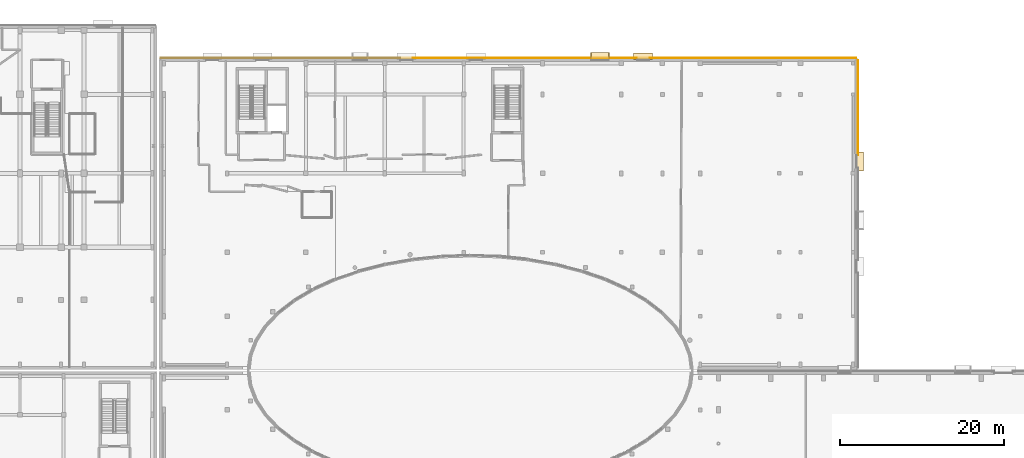
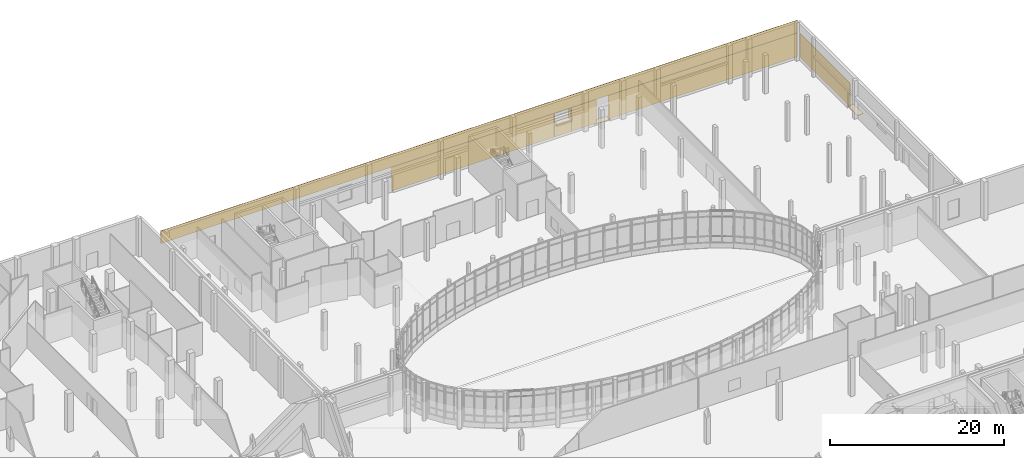
# One storey, part 76 of 84: 12 coverings.
"""IFC4 building model written with IfcOpenShell, lengths in metres."""

from ifc_helpers import new_model, si_unit, direction, frame, origin, origin_2d, place, context, subcontext, project, spatial, rectangle, extrude, material, layer, layer_set, type_object, element, save


model = new_model("IFC4")

# Units and contexts
model_context = context("Model", 3, precision=1e-05, world=origin(), true_north=direction((0.0, 1.0)))
body_context = subcontext(model_context, "Body", "Model", "MODEL_VIEW")
ifc_project = project(units=[si_unit("LENGTHUNIT", "METRE"), si_unit("AREAUNIT", "SQUARE_METRE"), si_unit("VOLUMEUNIT", "CUBIC_METRE"), si_unit("PLANEANGLEUNIT", "RADIAN"), si_unit("MASSUNIT", "GRAM", prefix="KILO")], contexts=[model_context])

# Site, building, storey
site_placement = place(None, origin())
site = spatial("IfcSite", under=ifc_project, at=site_placement, CompositionType="ELEMENT")
building_placement = place(site_placement, origin())
building = spatial("IfcBuilding", under=site, at=building_placement, Name="Mzevani Central Library", CompositionType="ELEMENT")
storey_placement = place(building_placement, origin())
storey = spatial("IfcBuildingStorey", under=building, at=storey_placement, Name="L00", CompositionType="ELEMENT", Elevation=0.0)

# Coverings
ifc_material_1 = material(Name="Limestone ashlar cladding", Category="masonry")
ifc_layer_1 = layer(ifc_material_1, 0.050048828125, Name="Limestone Ashlar Spandrel Cladding")
ifc_layer_set_1 = layer_set([ifc_layer_1], Name="Limestone ashlar cladding")
covering_type_1 = type_object("IfcCoveringType", Name="Limestone Ashlar Spandrel Cladding", PredefinedType="CLADDING", material=ifc_layer_set_1)
for number, where, z_axis, x_axis, name in (
    (1, (99.80517578125, 114.337890625, 3.25), (0.0, 0.0, 1.0), (1.0, 0.0, 0.0), "L00 Deep Window Reveal HD (REV4-0122)"),
    (2, (99.80517578125, 114.337890625, 1.56005859375), (0.0, 0.0, 1.0), (1.0, 0.0, 0.0), "L00 Deep Window Reveal SL (REV4-0122)"),
):
    element("IfcCovering", number, at=place(storey_placement, frame(where, z_axis=z_axis, x_axis=x_axis)), inside=storey, type_object=covering_type_1, Name=name, PredefinedType="CLADDING", context=body_context, shape_type="SweptSolid", body=[
        extrude(rectangle(XDim=2.280029296875, YDim=0.679931640625, at=origin_2d()), origin(), (0.0, 0.0, 1.0), 0.090087890625),
    ])
for number, where, z_axis, x_axis, name in (
    (3, (98.710205078125, 114.337890625, 1.64990234375), (0.0, 0.0, 1.0), (1.0, 0.0, 0.0), "L00 Deep Window Reveal JL (REV4-0122)"),
    (4, (100.900146484375, 114.337890625, 1.64990234375), (0.0, 0.0, 1.0), (1.0, 0.0, 0.0), "L00 Deep Window Reveal JR (REV4-0122)"),
):
    element("IfcCovering", number, at=place(storey_placement, frame(where, z_axis=z_axis, x_axis=x_axis)), inside=storey, type_object=covering_type_1, Name=name, PredefinedType="CLADDING", context=body_context, shape_type="SweptSolid", body=[
        extrude(rectangle(XDim=0.090087890625, YDim=0.679931640625, at=origin_2d()), origin(), (0.0, 0.0, 1.0), 1.60009765625),
    ])
covering_1_placement = place(storey_placement, frame((88.64990234375, 114.02392578125, 3.35009765625), z_axis=(0.0, 0.0, 1.0), x_axis=(1.0, 0.0, 0.0)))
element("IfcCovering", 5, at=covering_1_placement, inside=storey, type_object=covering_type_1, Name="L00 Warm-White Facade Spandrel (EW4-V3-L00-0041)", PredefinedType="CLADDING", context=body_context, shape_type="SweptSolid", body=[
    extrude(rectangle(XDim=84.679931640625, YDim=0.050048828125, at=origin_2d()), origin(), (0.0, 0.0, 1.0), 1.77001953125),
])
covering_2_placement = place(storey_placement, frame((87.826416015625, 114.02392578125, 0.0), z_axis=(0.0, 0.0, 1.0), x_axis=(1.0, 0.0, 0.0)))
element("IfcCovering", 6, at=covering_2_placement, inside=storey, type_object=covering_type_1, Name="L00 Warm-White Facade Pier 4 (EW4-V3-L00-0041)", PredefinedType="CLADDING", context=body_context, shape_type="SweptSolid", body=[
    extrude(rectangle(XDim=21.61767578125, YDim=0.050048828125, at=origin_2d()), origin(), (0.0, 0.0, 1.0), 3.35009765625),
])
covering_3_placement = place(storey_placement, frame((99.80517578125, 114.02392578125, 0.0), z_axis=(0.0, 0.0, 1.0), x_axis=(1.0, 0.0, 0.0)))
element("IfcCovering", 7, at=covering_3_placement, inside=storey, type_object=covering_type_1, Name="L00 Warm-White Sill Cladding 5 (EW4-V3-L00-0041)", PredefinedType="CLADDING", context=body_context, shape_type="SweptSolid", body=[
    extrude(rectangle(XDim=2.300048828125, YDim=0.050048828125, at=origin_2d()), origin(), (0.0, 0.0, 1.0), 1.550048828125),
])
covering_4_placement = place(storey_placement, frame((102.62890625, 114.02392578125, 0.0), z_axis=(0.0, 0.0, 1.0), x_axis=(1.0, 0.0, 0.0)))
element("IfcCovering", 8, at=covering_4_placement, inside=storey, type_object=covering_type_1, Name="L00 Warm-White Facade Pier 6 (EW4-V3-L00-0041)", PredefinedType="CLADDING", context=body_context, shape_type="SweptSolid", body=[
    extrude(rectangle(XDim=3.30712890625, YDim=0.050048828125, at=origin_2d()), origin(), (0.0, 0.0, 1.0), 3.35009765625),
])
covering_5_placement = place(storey_placement, frame((118.40625, 114.02392578125, 0.0), z_axis=(0.0, 0.0, 1.0), x_axis=(1.0, 0.0, 0.0)))
element("IfcCovering", 9, at=covering_5_placement, inside=storey, type_object=covering_type_1, Name="L00 Warm-White Facade Pier 7 (EW4-V3-L00-0041)", PredefinedType="CLADDING", context=body_context, shape_type="SweptSolid", body=[
    extrude(rectangle(XDim=25.16748046875, YDim=0.050048828125, at=origin_2d()), origin(), (0.0, 0.0, 1.0), 3.35009765625),
])
covering_6_placement = place(storey_placement, frame((131.22412109375, 107.994140625, 0.0), z_axis=(0.0, 0.0, 1.0), x_axis=(0.0, -1.0, 0.0)))
element("IfcCovering", 10, at=covering_6_placement, inside=storey, type_object=covering_type_1, Name="L00 Warm-White Facade Pier 1 (EW4-V3-L00-0042)", PredefinedType="CLADDING", context=body_context, shape_type="SweptSolid", body=[
    extrude(rectangle(XDim=11.591552734375, YDim=0.050048828125, at=origin_2d()), origin(), (0.0, 0.0, 1.0), 3.35009765625),
])
ifc_material_2 = material(Name="Terrazzo stone flooring", Category="masonry")
ifc_layer_2 = layer(ifc_material_2, 0.030029296875, Name="Terrazzo Stone Floor Finish")
ifc_layer_set_2 = layer_set([ifc_layer_2], Name="Terrazzo stone flooring")
covering_type_2 = type_object("IfcCoveringType", Name="Terrazzo Stone Floor Finish", PredefinedType="FLOORING", material=ifc_layer_set_2)
for number, where, z_axis, x_axis, name in (
    (11, (105.052490234375, 114.260009765625, -0.0400390625), (0.0, 0.0, 1.0), (1.0, 0.0, 0.0), "L00 V3 Exterior Entrance Threshold Apron (18)"),
    (12, (131.4599609375, 101.428466796875, -0.0400390625), (0.0, 0.0, 1.0), (0.0, -1.0, 0.0), "L00 V3 Exterior Entrance Threshold Apron (19)"),
):
    element("IfcCovering", number, at=place(storey_placement, frame(where, z_axis=z_axis, x_axis=x_axis)), inside=storey, type_object=covering_type_2, Name=name, PredefinedType="FLOORING", context=body_context, shape_type="SweptSolid", body=[
        extrude(rectangle(XDim=2.300048828125, YDim=0.800048828125, at=origin_2d()), origin(), (0.0, 0.0, 1.0), 0.0400390625),
    ])

save(model, "model.ifc")
